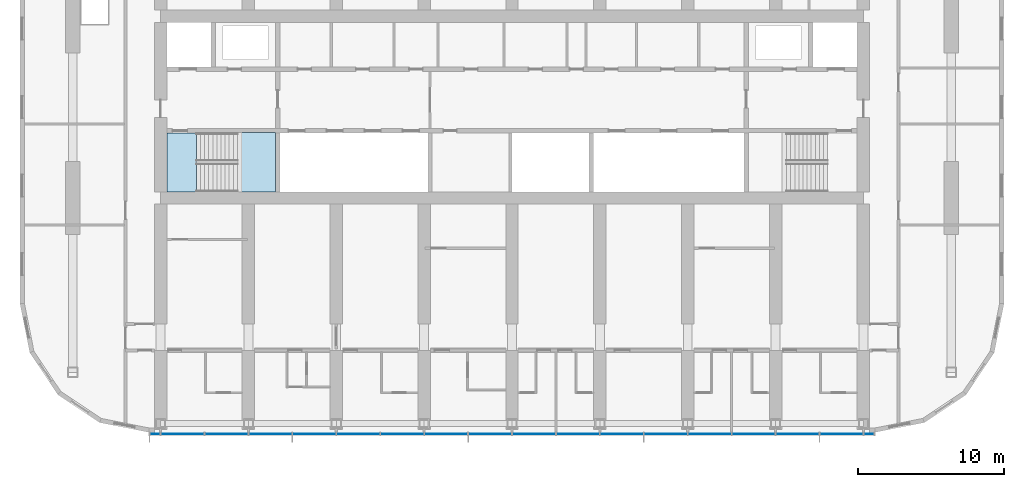
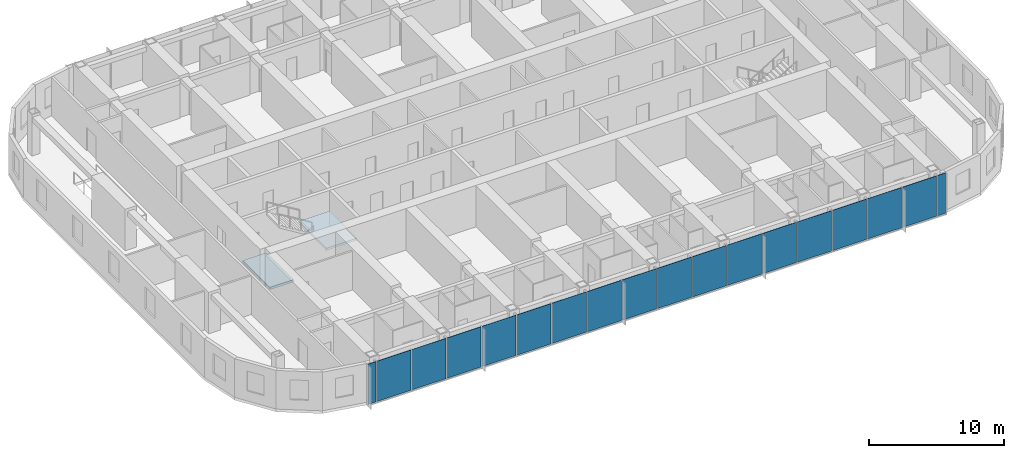
# One storey, part 7 of 22: 18 plates, 2 slabs, 2 elements without a shape of their own.
"""IFC4 building model written with IfcOpenShell, lengths in metres."""

import ifcopenshell
import ifcopenshell.guid

model = None  # the IFC model being written
_history = None  # IfcOwnerHistory: only IFC2X3 demands one
_inside = {}  # id of a spatial element -> (the spatial element, [elements in it])
_under = {}  # id of a project, library or spatial element -> (it, [spatial elements below it])
_declared = {}  # id of a project -> (the project, [libraries it declares])
_typed = {}  # id of a type object -> (the type object, [elements of that type])
_made_of = {}  # id of a material, layer set ... -> (it, [elements and type objects made of it])


def new_model(schema):
    """Start an empty IFC model of exactly this schema.

    Asked for "IFC4X3", IfcOpenShell would pick the latest addendum, in which some entities
    have other attributes; the version numbers below select the first issue.
    IFC2X3 requires an IfcOwnerHistory on every rooted entity: one is made here for all.
    """
    global model, _history
    if schema == "IFC4X3":
        model = ifcopenshell.file(schema_version=(4, 3, 0, 0))
    else:
        model = ifcopenshell.file(schema=schema)
    _inside.clear()
    _under.clear()
    _declared.clear()
    _typed.clear()
    _made_of.clear()
    _history = None
    if model.schema == "IFC2X3":
        org = make("IfcOrganization", Name="unknown")
        user = make(
            "IfcPersonAndOrganization",
            ThePerson=make("IfcPerson", FamilyName="unknown"),
            TheOrganization=org,
        )
        app = make(
            "IfcApplication",
            ApplicationDeveloper=org,
            Version="unknown",
            ApplicationFullName="unknown",
            ApplicationIdentifier="unknown",
        )
        _history = make(
            "IfcOwnerHistory",
            OwningUser=user,
            OwningApplication=app,
            ChangeAction="ADDED",
            CreationDate=0,
        )
    return model


def make(cls, **values):
    """One entity of the class cls with the attributes given. An attribute that is None is left unset."""
    return model.create_entity(
        cls, **{name: value for name, value in values.items() if value is not None}
    )


def rooted(cls, **values):
    """An entity with a GlobalId (a new one), such as an element, a storey or a relation."""
    return make(cls, GlobalId=ifcopenshell.guid.new(), OwnerHistory=_history, **values)


def si_unit(unit_type, name, prefix=None):
    """IfcSIUnit, for example si_unit("LENGTHUNIT", "METRE", prefix="MILLI")."""
    return make("IfcSIUnit", UnitType=unit_type, Prefix=prefix, Name=name)


def assignment(units):
    """IfcUnitAssignment: the units of a project."""
    return None if units is None else make("IfcUnitAssignment", Units=units)


def point(xyz):
    """IfcCartesianPoint."""
    return None if xyz is None else make("IfcCartesianPoint", Coordinates=xyz)


def direction(xyz):
    """IfcDirection."""
    return None if xyz is None else make("IfcDirection", DirectionRatios=xyz)


def frame(location, z_axis=None, x_axis=None):
    """IfcAxis2Placement3D, a coordinate frame: its origin and axes. An axis left out is left unset."""
    return make(
        "IfcAxis2Placement3D",
        Location=point(location),
        Axis=direction(z_axis),
        RefDirection=direction(x_axis),
    )


def frame_2d(location, x_axis=None):
    """IfcAxis2Placement2D, a coordinate frame in the plane: its origin and x axis."""
    return make(
        "IfcAxis2Placement2D", Location=point(location), RefDirection=direction(x_axis)
    )


def origin():
    """The frame at (0, 0, 0) with its axes left unset."""
    return frame((0.0, 0.0, 0.0))


def origin_2d():
    """The frame at (0, 0) in the plane with its x axis left unset."""
    return frame_2d((0.0, 0.0))


def place(relative_to, where):
    """IfcLocalPlacement: puts the frame where relative to a parent placement (None: the world)."""
    return make(
        "IfcLocalPlacement", PlacementRelTo=relative_to, RelativePlacement=where
    )


def context(
    kind, dimensions, precision=None, world=None, true_north=None, identifier=None
):
    """IfcGeometricRepresentationContext, for example the 3D "Model" context."""
    return make(
        "IfcGeometricRepresentationContext",
        ContextIdentifier=identifier,
        ContextType=kind,
        CoordinateSpaceDimension=dimensions,
        Precision=precision,
        WorldCoordinateSystem=world,
        TrueNorth=true_north,
    )


def subcontext(parent, identifier, kind, view, scale=None):
    """IfcGeometricRepresentationSubContext, for example "Body" below "Model"."""
    return make(
        "IfcGeometricRepresentationSubContext",
        ContextIdentifier=identifier,
        ContextType=kind,
        ParentContext=parent,
        TargetScale=scale,
        TargetView=view,
    )


def project(units=None, contexts=None):
    """IfcProject with its units and contexts."""
    return rooted(
        "IfcProject",
        Name="project",
        RepresentationContexts=contexts,
        UnitsInContext=assignment(units),
    )


def spatial(cls, under=None, at=None, **own):
    """A site, building, storey or space (cls), placed at a placement, below another one or the project."""
    s = rooted(cls, ObjectPlacement=at, **own)
    if under is not None:
        _under.setdefault(under.id(), (under, []))[1].append(s)
    return s


def polyline(points):
    """IfcPolyline through the points."""
    return make("IfcPolyline", Points=[point(p) for p in points])


def profile(cls, at=None, kind="AREA", **sizes):
    """A parametric profile (cls). Its sizes go by their IFC names, for example OverallWidth=200.0."""
    return make(cls, ProfileType=kind, Position=at, **sizes)


def rectangle(**sizes):
    """IfcRectangleProfileDef."""
    return profile("IfcRectangleProfileDef", **sizes)


def outline(outer, holes=None, kind="AREA"):
    """IfcArbitraryClosedProfileDef: a profile drawn as a closed curve; with holes, ...WithVoids."""
    if holes is None:
        return make("IfcArbitraryClosedProfileDef", ProfileType=kind, OuterCurve=outer)
    return make(
        "IfcArbitraryProfileDefWithVoids",
        ProfileType=kind,
        OuterCurve=outer,
        InnerCurves=holes,
    )


def extrude(swept, where, along, depth):
    """IfcExtrudedAreaSolid: the profile swept, set in the frame where, extruded along a direction by depth."""
    return make(
        "IfcExtrudedAreaSolid",
        SweptArea=swept,
        Position=where,
        ExtrudedDirection=direction(along),
        Depth=depth,
    )


def shape(context_of_items, identifier, shape_type, items):
    """IfcShapeRepresentation: the items that make up one representation, for example the "Body"."""
    return make(
        "IfcShapeRepresentation",
        ContextOfItems=context_of_items,
        RepresentationIdentifier=identifier,
        RepresentationType=shape_type,
        Items=items,
    )


def material(Name=None, Category=None):
    """IfcMaterial."""
    return make("IfcMaterial", Name=Name, Category=Category)


def layer(
    of_material, thickness, ventilated=None, Name=None, Category=None, Priority=None
):
    """IfcMaterialLayer: one layer of a wall or slab, of a material (None: an air gap)."""
    return make(
        "IfcMaterialLayer",
        Material=of_material,
        LayerThickness=thickness,
        IsVentilated=ventilated,
        Name=Name,
        Category=Category,
        Priority=Priority,
    )


def layer_set(layers, Name=None):
    """IfcMaterialLayerSet."""
    return make("IfcMaterialLayerSet", MaterialLayers=layers, LayerSetName=Name)


def made_of(thing, what):
    """Note that an element or type object is made of a material, layer set ...; save() writes the relation."""
    if what is not None:
        _made_of.setdefault(what.id(), (what, []))[1].append(thing)
    return thing


def type_object(cls, material=None, **own):
    """A type object (cls), such as IfcWallType, which elements share."""
    return made_of(rooted(cls, **own), material)


def element(
    cls,
    number,
    at=None,
    inside=None,
    cuts=None,
    type_object=None,
    material=None,
    context=None,
    identifier="Body",
    shape_type=None,
    held_by="IfcProductDefinitionShape",
    body=None,
    shapes=None,
    **own,
):
    """One element of the class cls, such as IfcWall. Its Tag is "e" and its number.

    at: its placement. inside: the storey or other place that contains it. cuts: it is an
    opening in that element (IfcRelVoidsElement). A single representation is given by context,
    identifier, shape_type and body (its items); several are given by shapes. held_by: the class
    of the entity that holds the representations. save() writes the other relations.
    """
    e = rooted(cls, Tag="e%d" % number, ObjectPlacement=at, **own)
    if body is not None:
        shapes = [shape(context, identifier, shape_type, body)]
    if shapes is not None:
        e.Representation = make(held_by, Representations=shapes)
    if inside is not None:
        _inside.setdefault(inside.id(), (inside, []))[1].append(e)
    if cuts is not None:
        rooted(
            "IfcRelVoidsElement", RelatingBuildingElement=cuts, RelatedOpeningElement=e
        )
    if type_object is not None:
        _typed.setdefault(type_object.id(), (type_object, []))[1].append(e)
    return made_of(e, material)


def aggregate(whole, parts):
    """IfcRelAggregates: a whole, such as a stair, and the parts it consists of."""
    return rooted("IfcRelAggregates", RelatingObject=whole, RelatedObjects=parts)


def save(model, path):
    """Write the relations noted so far, then the file.

    IfcRelAggregates (storeys below a building ...), IfcRelContainedInSpatialStructure (elements
    in a storey), IfcRelDefinesByType, IfcRelAssociatesMaterial and IfcRelDeclares: one each for
    every whole, place, type object, material and project.
    """
    for whole, parts in _under.values():
        aggregate(whole, parts)
    for where, things in _inside.values():
        rooted(
            "IfcRelContainedInSpatialStructure",
            RelatedElements=things,
            RelatingStructure=where,
        )
    for kind, things in _typed.values():
        rooted("IfcRelDefinesByType", RelatedObjects=things, RelatingType=kind)
    for what, things in _made_of.values():
        rooted("IfcRelAssociatesMaterial", RelatedObjects=things, RelatingMaterial=what)
    for by, libraries in _declared.values():
        rooted("IfcRelDeclares", RelatingContext=by, RelatedDefinitions=libraries)
    model.write(path)


model = new_model("IFC4")

# Units and contexts
model_context = context("Model", 3, precision=1e-05, world=origin(), true_north=direction((0.0, 1.0)))
body_context = subcontext(model_context, "Body", "Model", "MODEL_VIEW")
ifc_project = project(units=[si_unit("LENGTHUNIT", "METRE"), si_unit("AREAUNIT", "SQUARE_METRE"), si_unit("VOLUMEUNIT", "CUBIC_METRE"), si_unit("PLANEANGLEUNIT", "RADIAN"), si_unit("MASSUNIT", "GRAM", prefix="KILO")], contexts=[model_context])

# Site, building, storey
site_placement = place(None, origin())
site = spatial("IfcSite", under=ifc_project, at=site_placement, CompositionType="ELEMENT")
building_placement = place(site_placement, origin())
building = spatial("IfcBuilding", under=site, at=building_placement, Name="Orbita Commons", CompositionType="ELEMENT")
storey_placement = place(building_placement, frame((0.0, 0.0, 167.35009765625)))
storey = spatial("IfcBuildingStorey", under=building, at=storey_placement, Name="L41", CompositionType="ELEMENT", Elevation=167.35009765625)

# Curtain wall, plates
ifc_material_1 = material(Name="Anodised aluminium frame, pale silver", Category="aluminium")
curtain_wall_type = type_object("IfcCurtainWallType", Name="Unitised curtain wall CW-U, full-height vision", PredefinedType="NOTDEFINED", material=ifc_material_1)
curtain_wall_placement = place(storey_placement, origin())
curtain_wall = element("IfcCurtainWall", 1, at=curtain_wall_placement, inside=storey, type_object=curtain_wall_type, Name="Curtain wall south L41", PredefinedType="NOTDEFINED")
ifc_material_2 = material(Name="Clear double glazing", Category="glass")
ifc_layer_1 = layer(ifc_material_2, 0.031982421875)
ifc_layer_set_1 = layer_set([ifc_layer_1], Name="Clear double glazing")
plate_type = type_object("IfcPlateType", Name="Full-height vision panel, clear glazing 32", PredefinedType="CURTAIN_PANEL", material=ifc_layer_set_1)
plate_1_placement = place(storey_placement, frame((17.6201171875, 9.68994140625, -0.150146484375), z_axis=(0.0, 0.0, 1.0), x_axis=(1.0, 0.0, 0.0)))
plate_1 = element("IfcPlate", 2, at=plate_1_placement, type_object=plate_type, Name="Panel 1.1 CW-L41-S", PredefinedType="CURTAIN_PANEL", context=body_context, shape_type="SweptSolid", body=[
    extrude(rectangle(XDim=0.679931640625, YDim=0.031982421875, at=origin_2d()), origin(), (0.0, 0.0, 1.0), 3.64990234375),
])
plate_2_placement = place(storey_placement, frame((19.5, 9.68994140625, -0.150146484375), z_axis=(0.0, 0.0, 1.0), x_axis=(1.0, 0.0, 0.0)))
plate_2 = element("IfcPlate", 3, at=plate_2_placement, type_object=plate_type, Name="Panel 2.1 CW-L41-S", PredefinedType="CURTAIN_PANEL", context=body_context, shape_type="SweptSolid", body=[
    extrude(rectangle(XDim=2.919921875, YDim=0.031982421875, at=origin_2d()), origin(), (0.0, 0.0, 1.0), 3.64990234375),
])
plate_3_placement = place(storey_placement, frame((22.5, 9.68994140625, -0.150146484375), z_axis=(0.0, 0.0, 1.0), x_axis=(1.0, 0.0, 0.0)))
plate_3 = element("IfcPlate", 4, at=plate_3_placement, type_object=plate_type, Name="Panel 3.1 CW-L41-S", PredefinedType="CURTAIN_PANEL", context=body_context, shape_type="SweptSolid", body=[
    extrude(rectangle(XDim=2.919921875, YDim=0.031982421875, at=origin_2d()), origin(), (0.0, 0.0, 1.0), 3.64990234375),
])
plate_4_placement = place(storey_placement, frame((25.5, 9.68994140625, -0.150146484375), z_axis=(0.0, 0.0, 1.0), x_axis=(1.0, 0.0, 0.0)))
plate_4 = element("IfcPlate", 5, at=plate_4_placement, type_object=plate_type, Name="Panel 4.1 CW-L41-S", PredefinedType="CURTAIN_PANEL", context=body_context, shape_type="SweptSolid", body=[
    extrude(rectangle(XDim=2.919921875, YDim=0.031982421875, at=origin_2d()), origin(), (0.0, 0.0, 1.0), 3.64990234375),
])
plate_5_placement = place(storey_placement, frame((28.5, 9.68994140625, -0.150146484375), z_axis=(0.0, 0.0, 1.0), x_axis=(1.0, 0.0, 0.0)))
plate_5 = element("IfcPlate", 6, at=plate_5_placement, type_object=plate_type, Name="Panel 5.1 CW-L41-S", PredefinedType="CURTAIN_PANEL", context=body_context, shape_type="SweptSolid", body=[
    extrude(rectangle(XDim=2.919921875, YDim=0.031982421875, at=origin_2d()), origin(), (0.0, 0.0, 1.0), 3.64990234375),
])
plate_6_placement = place(storey_placement, frame((31.5, 9.68994140625, -0.150146484375), z_axis=(0.0, 0.0, 1.0), x_axis=(1.0, 0.0, 0.0)))
plate_6 = element("IfcPlate", 7, at=plate_6_placement, type_object=plate_type, Name="Panel 6.1 CW-L41-S", PredefinedType="CURTAIN_PANEL", context=body_context, shape_type="SweptSolid", body=[
    extrude(rectangle(XDim=2.919921875, YDim=0.031982421875, at=origin_2d()), origin(), (0.0, 0.0, 1.0), 3.64990234375),
])
plate_7_placement = place(storey_placement, frame((34.5, 9.68994140625, -0.150146484375), z_axis=(0.0, 0.0, 1.0), x_axis=(1.0, 0.0, 0.0)))
plate_7 = element("IfcPlate", 8, at=plate_7_placement, type_object=plate_type, Name="Panel 7.1 CW-L41-S", PredefinedType="CURTAIN_PANEL", context=body_context, shape_type="SweptSolid", body=[
    extrude(rectangle(XDim=2.919921875, YDim=0.031982421875, at=origin_2d()), origin(), (0.0, 0.0, 1.0), 3.64990234375),
])
plate_8_placement = place(storey_placement, frame((37.5, 9.68994140625, -0.150146484375), z_axis=(0.0, 0.0, 1.0), x_axis=(1.0, 0.0, 0.0)))
plate_8 = element("IfcPlate", 9, at=plate_8_placement, type_object=plate_type, Name="Panel 8.1 CW-L41-S", PredefinedType="CURTAIN_PANEL", context=body_context, shape_type="SweptSolid", body=[
    extrude(rectangle(XDim=2.919921875, YDim=0.031982421875, at=origin_2d()), origin(), (0.0, 0.0, 1.0), 3.64990234375),
])
plate_9_placement = place(storey_placement, frame((40.5, 9.68994140625, -0.150146484375), z_axis=(0.0, 0.0, 1.0), x_axis=(1.0, 0.0, 0.0)))
plate_9 = element("IfcPlate", 10, at=plate_9_placement, type_object=plate_type, Name="Panel 9.1 CW-L41-S", PredefinedType="CURTAIN_PANEL", context=body_context, shape_type="SweptSolid", body=[
    extrude(rectangle(XDim=2.919921875, YDim=0.031982421875, at=origin_2d()), origin(), (0.0, 0.0, 1.0), 3.64990234375),
])
plate_10_placement = place(storey_placement, frame((43.5, 9.68994140625, -0.150146484375), z_axis=(0.0, 0.0, 1.0), x_axis=(1.0, 0.0, 0.0)))
plate_10 = element("IfcPlate", 11, at=plate_10_placement, type_object=plate_type, Name="Panel 10.1 CW-L41-S", PredefinedType="CURTAIN_PANEL", context=body_context, shape_type="SweptSolid", body=[
    extrude(rectangle(XDim=2.919921875, YDim=0.031982421875, at=origin_2d()), origin(), (0.0, 0.0, 1.0), 3.64990234375),
])
plate_11_placement = place(storey_placement, frame((46.5, 9.68994140625, -0.150146484375), z_axis=(0.0, 0.0, 1.0), x_axis=(1.0, 0.0, 0.0)))
plate_11 = element("IfcPlate", 12, at=plate_11_placement, type_object=plate_type, Name="Panel 11.1 CW-L41-S", PredefinedType="CURTAIN_PANEL", context=body_context, shape_type="SweptSolid", body=[
    extrude(rectangle(XDim=2.919921875, YDim=0.031982421875, at=origin_2d()), origin(), (0.0, 0.0, 1.0), 3.64990234375),
])
plate_12_placement = place(storey_placement, frame((49.5, 9.68994140625, -0.150146484375), z_axis=(0.0, 0.0, 1.0), x_axis=(1.0, 0.0, 0.0)))
plate_12 = element("IfcPlate", 13, at=plate_12_placement, type_object=plate_type, Name="Panel 12.1 CW-L41-S", PredefinedType="CURTAIN_PANEL", context=body_context, shape_type="SweptSolid", body=[
    extrude(rectangle(XDim=2.919921875, YDim=0.031982421875, at=origin_2d()), origin(), (0.0, 0.0, 1.0), 3.64990234375),
])
plate_13_placement = place(storey_placement, frame((52.5, 9.68994140625, -0.150146484375), z_axis=(0.0, 0.0, 1.0), x_axis=(1.0, 0.0, 0.0)))
plate_13 = element("IfcPlate", 14, at=plate_13_placement, type_object=plate_type, Name="Panel 13.1 CW-L41-S", PredefinedType="CURTAIN_PANEL", context=body_context, shape_type="SweptSolid", body=[
    extrude(rectangle(XDim=2.919921875, YDim=0.031982421875, at=origin_2d()), origin(), (0.0, 0.0, 1.0), 3.64990234375),
])
plate_14_placement = place(storey_placement, frame((55.5, 9.68994140625, -0.150146484375), z_axis=(0.0, 0.0, 1.0), x_axis=(1.0, 0.0, 0.0)))
plate_14 = element("IfcPlate", 15, at=plate_14_placement, type_object=plate_type, Name="Panel 14.1 CW-L41-S", PredefinedType="CURTAIN_PANEL", context=body_context, shape_type="SweptSolid", body=[
    extrude(rectangle(XDim=2.919921875, YDim=0.031982421875, at=origin_2d()), origin(), (0.0, 0.0, 1.0), 3.64990234375),
])
plate_15_placement = place(storey_placement, frame((58.5, 9.68994140625, -0.150146484375), z_axis=(0.0, 0.0, 1.0), x_axis=(1.0, 0.0, 0.0)))
plate_15 = element("IfcPlate", 16, at=plate_15_placement, type_object=plate_type, Name="Panel 15.1 CW-L41-S", PredefinedType="CURTAIN_PANEL", context=body_context, shape_type="SweptSolid", body=[
    extrude(rectangle(XDim=2.919921875, YDim=0.031982421875, at=origin_2d()), origin(), (0.0, 0.0, 1.0), 3.64990234375),
])
plate_16_placement = place(storey_placement, frame((61.5, 9.68994140625, -0.150146484375), z_axis=(0.0, 0.0, 1.0), x_axis=(1.0, 0.0, 0.0)))
plate_16 = element("IfcPlate", 17, at=plate_16_placement, type_object=plate_type, Name="Panel 16.1 CW-L41-S", PredefinedType="CURTAIN_PANEL", context=body_context, shape_type="SweptSolid", body=[
    extrude(rectangle(XDim=2.919921875, YDim=0.031982421875, at=origin_2d()), origin(), (0.0, 0.0, 1.0), 3.64990234375),
])
plate_17_placement = place(storey_placement, frame((64.5, 9.68994140625, -0.150146484375), z_axis=(0.0, 0.0, 1.0), x_axis=(1.0, 0.0, 0.0)))
plate_17 = element("IfcPlate", 18, at=plate_17_placement, type_object=plate_type, Name="Panel 17.1 CW-L41-S", PredefinedType="CURTAIN_PANEL", context=body_context, shape_type="SweptSolid", body=[
    extrude(rectangle(XDim=2.919921875, YDim=0.031982421875, at=origin_2d()), origin(), (0.0, 0.0, 1.0), 3.64990234375),
])
plate_18_placement = place(storey_placement, frame((66.3798828125, 9.68994140625, -0.150146484375), z_axis=(0.0, 0.0, 1.0), x_axis=(1.0, 0.0, 0.0)))
plate_18 = element("IfcPlate", 19, at=plate_18_placement, type_object=plate_type, Name="Panel 18.1 CW-L41-S", PredefinedType="CURTAIN_PANEL", context=body_context, shape_type="SweptSolid", body=[
    extrude(rectangle(XDim=0.679931640625, YDim=0.031982421875, at=origin_2d()), origin(), (0.0, 0.0, 1.0), 3.64990234375),
])
aggregate(curtain_wall, [plate_1, plate_2, plate_3, plate_4, plate_5, plate_6, plate_7, plate_8, plate_9, plate_10, plate_11, plate_12, plate_13, plate_14, plate_15, plate_16, plate_17, plate_18])

# Stair, slabs
ifc_material_3 = material(Name="Precast concrete C40/50", Category="concrete")
stair_type = type_object("IfcStairType", Name="Exit stair S1 2 flights 11 risers 170", PredefinedType="HALF_TURN_STAIR", material=ifc_material_3)
stair_placement = place(storey_placement, origin())
stair = element("IfcStair", 20, at=stair_placement, inside=storey, type_object=stair_type, Name="Exit stair S1 L41", PredefinedType="HALF_TURN_STAIR")
ifc_material_4 = material(Name="Concrete C40/50", Category="concrete")
ifc_layer_2 = layer(ifc_material_4, 0.199951171875)
ifc_layer_set_2 = layer_set([ifc_layer_2], Name="Concrete C40/50")
slab_type = type_object("IfcSlabType", Name="Stair landing 200", PredefinedType="LANDING", material=ifc_layer_set_2)
slab_1_placement = place(storey_placement, frame((0.0, 0.0, -0.2001953125)))
slab_1 = element("IfcSlab", 21, at=slab_1_placement, type_object=slab_type, Name="S1 landing 1", PredefinedType="LANDING", context=body_context, shape_type="SweptSolid", body=[
    extrude(outline(polyline([(18.425048828125, 26.22509765625), (20.449951171875, 26.22509765625), (20.449951171875, 30.25), (18.425048828125, 30.25), (18.425048828125, 26.22509765625)])), origin(), (0.0, 0.0, 1.0), 0.2001953125),
])
slab_2_placement = place(storey_placement, frame((0.0, 0.0, 1.6748046875)))
slab_2 = element("IfcSlab", 22, at=slab_2_placement, type_object=slab_type, Name="S1 landing 2", PredefinedType="LANDING", context=body_context, shape_type="SweptSolid", body=[
    extrude(outline(polyline([(23.25, 26.2099609375), (25.864990234375, 26.2099609375), (25.864990234375, 30.264892578125), (23.25, 30.264892578125), (23.25, 26.2099609375)])), origin(), (0.0, 0.0, 1.0), 0.2001953125),
])
aggregate(stair, [slab_1, slab_2])

save(model, "model.ifc")
